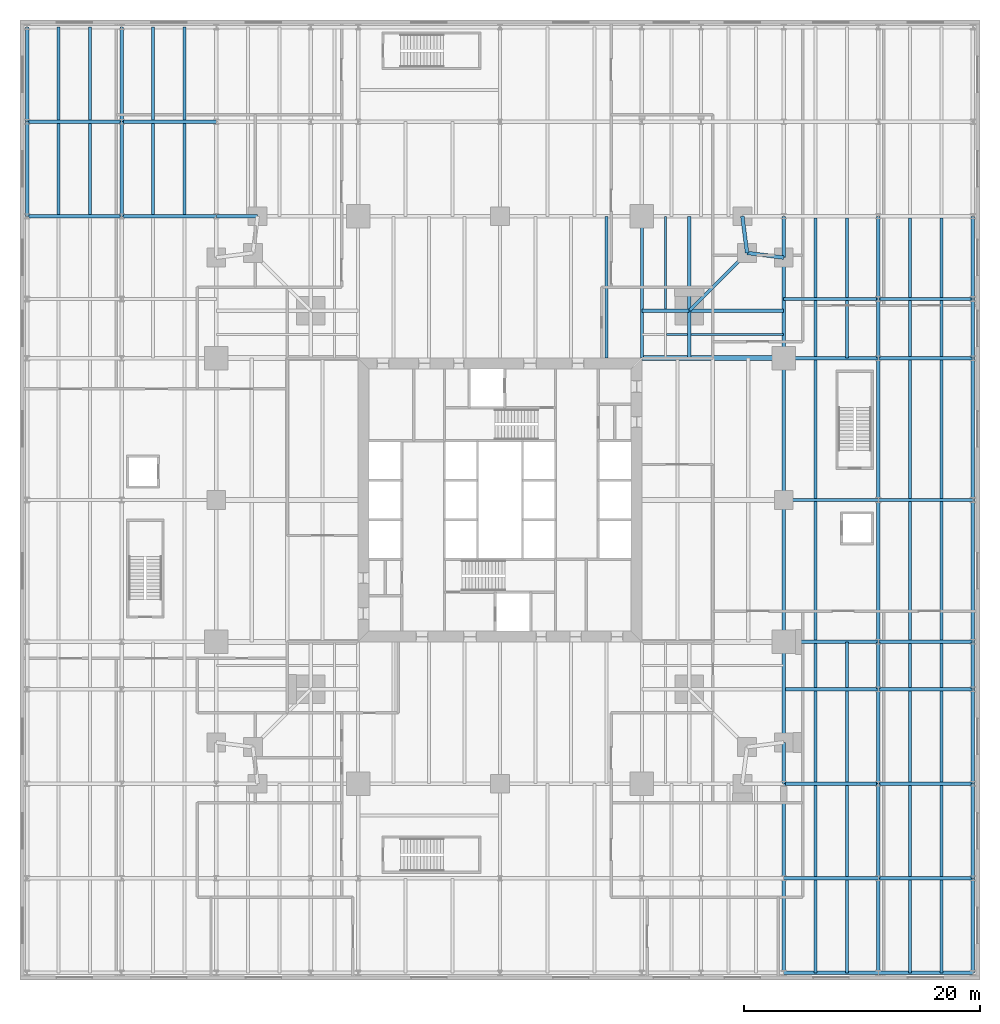
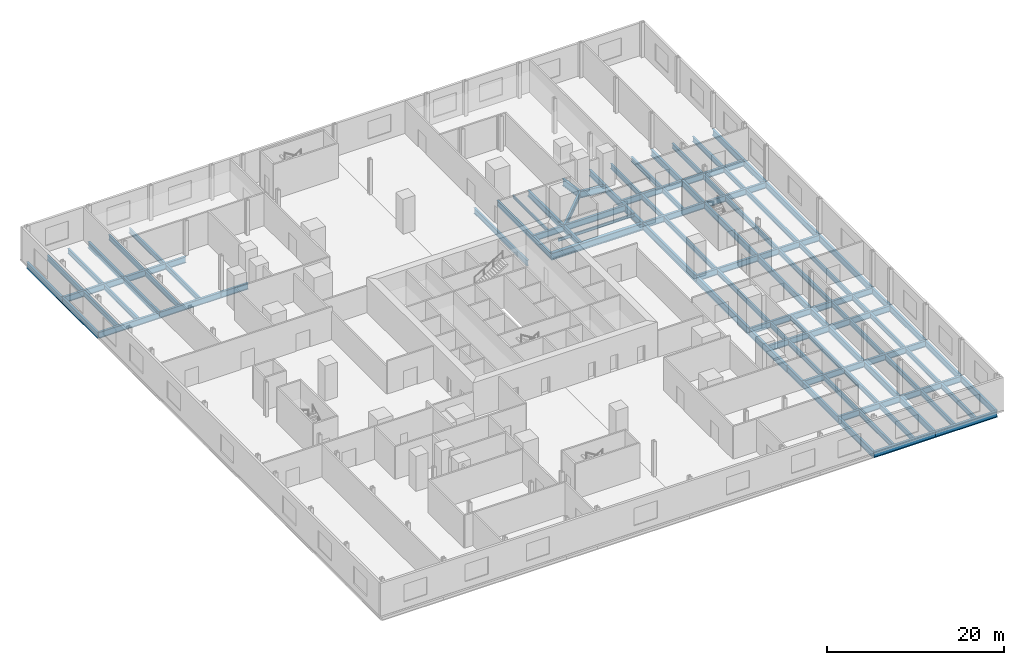
# One storey, part 6 of 16: 100 beams.
"""IFC4 building model written with IfcOpenShell, lengths in metres."""

from ifc_helpers import new_model, si_unit, direction, frame, origin, origin_2d, place, context, subcontext, project, spatial, i_section, extrude, material, material_profile, profile_set, type_object, element, save


model = new_model("IFC4")

# Units and contexts
model_context = context("Model", 3, precision=1e-05, world=origin(), true_north=direction((0.0, 1.0)))
body_context = subcontext(model_context, "Body", "Model", "MODEL_VIEW")
ifc_project = project(units=[si_unit("LENGTHUNIT", "METRE"), si_unit("AREAUNIT", "SQUARE_METRE"), si_unit("VOLUMEUNIT", "CUBIC_METRE"), si_unit("PLANEANGLEUNIT", "RADIAN"), si_unit("MASSUNIT", "GRAM", prefix="KILO")], contexts=[model_context])

# Site, building, storey
site_placement = place(None, origin())
site = spatial("IfcSite", under=ifc_project, at=site_placement, CompositionType="ELEMENT")
building_placement = place(site_placement, origin())
building = spatial("IfcBuilding", under=site, at=building_placement, Name="Fenwick Lantern Interchange", CompositionType="ELEMENT")
storey_placement = place(building_placement, frame((0.0, 0.0, 7.0)))
storey = spatial("IfcBuildingStorey", under=building, at=storey_placement, Name="L01", CompositionType="ELEMENT", Elevation=7.0)

# Beams
ifc_material = material(Name="Steel ASTM A992 Grade 50", Category="steel")
ifc_material_profile_1 = material_profile(ifc_material, i_section(OverallWidth=0.309814453125, OverallDepth=0.949951171875, WebThickness=0.0244140625, FlangeThickness=0.0439453125, at=origin_2d()), Name="W36X256")
ifc_profile_set_1 = profile_set([ifc_material_profile_1], Name="Steel ASTM A992 Grade 50")
beam_type_1 = type_object("IfcBeamType", Name="EDGE BEAM W36X256", PredefinedType="SPANDREL", material=ifc_profile_set_1)
beam_1_placement = place(storey_placement, frame((49.0, 4.5, -0.675048828125), z_axis=(0.0, 1.0, 0.0), x_axis=(-1.0, 0.0, 0.0)))
element("IfcBeam", 1, at=beam_1_placement, inside=storey, type_object=beam_type_1, Name="L01/FR/E/EB1", PredefinedType="SPANDREL", context=body_context, shape_type="SweptSolid", body=[
    extrude(i_section(OverallWidth=0.309814453125, OverallDepth=0.949951171875, WebThickness=0.0244140625, FlangeThickness=0.0439453125, at=origin_2d()), origin(), (0.0, 0.0, 1.0), 8.5),
])
for number, where, z_axis, x_axis, name in (
    (2, (49.0, 13.0, -0.675048828125), (0.0, 1.0, 0.0), (-1.0, 0.0, 0.0), "L01/FR/E/EB2"),
    (3, (49.0, 25.0, -0.675048828125), (0.0, 1.0, 0.0), (-1.0, 0.0, 0.0), "L01/FR/E/EB3"),
):
    element("IfcBeam", number, at=place(storey_placement, frame(where, z_axis=z_axis, x_axis=x_axis)), inside=storey, type_object=beam_type_1, Name=name, PredefinedType="SPANDREL", context=body_context, shape_type="SweptSolid", body=[
        extrude(i_section(OverallWidth=0.309814453125, OverallDepth=0.949951171875, WebThickness=0.0244140625, FlangeThickness=0.0439453125, at=origin_2d()), origin(), (0.0, 0.0, 1.0), 12.0),
    ])
beam_2_placement = place(storey_placement, frame((49.0, 37.0, -0.675048828125), z_axis=(0.0, 1.0, 0.0), x_axis=(-1.0, 0.0, 0.0)))
element("IfcBeam", 4, at=beam_2_placement, inside=storey, type_object=beam_type_1, Name="L01/FR/E/EB4", PredefinedType="SPANDREL", context=body_context, shape_type="SweptSolid", body=[
    extrude(i_section(OverallWidth=0.309814453125, OverallDepth=0.949951171875, WebThickness=0.0244140625, FlangeThickness=0.0439453125, at=origin_2d()), origin(), (0.0, 0.0, 1.0), 8.5),
])
for number, where, z_axis, x_axis, name in (
    (5, (49.0, 45.5, -0.675048828125), (-0.991782342897, 0.127936641807, 0.0), (-0.127936641807, -0.991782342897, 0.0), "L01/FR/E/EBR1"),
    (6, (45.89990234375, 45.89990234375, -0.675048828125), (-0.127936641807, 0.991782342897, 0.0), (-0.991782342897, -0.127936641807, 0.0), "L01/FR/E/EBR2"),
):
    element("IfcBeam", number, at=place(storey_placement, frame(where, z_axis=z_axis, x_axis=x_axis)), inside=storey, type_object=beam_type_1, Name=name, PredefinedType="SPANDREL", context=body_context, shape_type="SweptSolid", body=[
        extrude(i_section(OverallWidth=0.309814453125, OverallDepth=0.949951171875, WebThickness=0.0244140625, FlangeThickness=0.0439453125, at=origin_2d()), origin(), (0.0, 0.0, 1.0), 3.125732421875),
    ])
ifc_material_profile_2 = material_profile(ifc_material, i_section(OverallWidth=0.2666015625, OverallDepth=0.7568359375, WebThickness=0.013916015625, FlangeThickness=0.019287109375, at=origin_2d()), Name="W30X108")
ifc_profile_set_2 = profile_set([ifc_material_profile_2], Name="Steel ASTM A992 Grade 50")
beam_type_2 = type_object("IfcBeamType", Name="FLOOR BEAM W30X108", PredefinedType="BEAM", material=ifc_profile_set_2)
beam_3_placement = place(storey_placement, frame((34.0, 49.0, -0.578369140625), z_axis=(0.0, -1.0, 0.0), x_axis=(1.0, 0.0, 0.0)))
element("IfcBeam", 7, at=beam_3_placement, inside=storey, type_object=beam_type_2, Name="L01/FR/N/R02", PredefinedType="BEAM", context=body_context, shape_type="SweptSolid", body=[
    extrude(i_section(OverallWidth=0.2666015625, OverallDepth=0.7568359375, WebThickness=0.013916015625, FlangeThickness=0.019287109375, at=origin_2d()), origin(), (0.0, 0.0, 1.0), 12.0),
])
ifc_material_profile_3 = material_profile(ifc_material, i_section(OverallWidth=0.177734375, OverallDepth=0.406494140625, WebThickness=0.0078125, FlangeThickness=0.012939453125, at=origin_2d()), Name="W16X40")
ifc_profile_set_3 = profile_set([ifc_material_profile_3], Name="Steel ASTM A992 Grade 50")
beam_type_3 = type_object("IfcBeamType", Name="INFILL BEAM W16X40", PredefinedType="JOIST", material=ifc_profile_set_3)
for number, where, z_axis, x_axis, name in (
    (8, (39.0, 49.0, -0.4033203125), (0.0, -1.0, 0.0), (1.0, 0.0, 0.0), "L01/FR/N/J1"),
    (9, (49.0, 39.0, -0.4033203125), (-1.0, 0.0, 0.0), (0.0, -1.0, 0.0), "L01/FR/N/J3"),
):
    element("IfcBeam", number, at=place(storey_placement, frame(where, z_axis=z_axis, x_axis=x_axis)), inside=storey, type_object=beam_type_3, Name=name, PredefinedType="JOIST", context=body_context, shape_type="SweptSolid", body=[
        extrude(i_section(OverallWidth=0.177734375, OverallDepth=0.406494140625, WebThickness=0.0078125, FlangeThickness=0.012939453125, at=origin_2d()), origin(), (0.0, 0.0, 1.0), 7.85400390625),
    ])
beam_4_placement = place(storey_placement, frame((40.85400390625, 39.0, -0.4033203125), z_axis=(-1.0, 0.0, 0.0), x_axis=(0.0, -1.0, 0.0)))
element("IfcBeam", 10, at=beam_4_placement, inside=storey, type_object=beam_type_3, Name="L01/FR/N/J4", PredefinedType="JOIST", context=body_context, shape_type="SweptSolid", body=[
    extrude(i_section(OverallWidth=0.177734375, OverallDepth=0.406494140625, WebThickness=0.0078125, FlangeThickness=0.012939453125, at=origin_2d()), origin(), (0.0, 0.0, 1.0), 1.76513671875),
])
ifc_material_profile_4 = material_profile(ifc_material, i_section(OverallWidth=0.2919921875, OverallDepth=0.845703125, WebThickness=0.015380859375, FlangeThickness=0.0244140625, at=origin_2d()), Name="W33X141")
ifc_profile_set_4 = profile_set([ifc_material_profile_4], Name="Steel ASTM A992 Grade 50")
beam_type_4 = type_object("IfcBeamType", Name="MEGA COLUMN BEAM W33X141", PredefinedType="BEAM", material=ifc_profile_set_4)
for number, where, z_axis, x_axis, name in (
    (11, (41.0, 41.0, -0.622802734375), (0.0, 1.0, 0.0), (-1.0, 0.0, 0.0), "L01/FR/N/MB1"),
    (12, (41.0, 41.0, -0.622802734375), (1.0, 0.0, 0.0), (0.0, 1.0, 0.0), "L01/FR/N/MB2"),
):
    element("IfcBeam", number, at=place(storey_placement, frame(where, z_axis=z_axis, x_axis=x_axis)), inside=storey, type_object=beam_type_4, Name=name, PredefinedType="BEAM", context=body_context, shape_type="SweptSolid", body=[
        extrude(i_section(OverallWidth=0.2919921875, OverallDepth=0.845703125, WebThickness=0.015380859375, FlangeThickness=0.0244140625, at=origin_2d()), origin(), (0.0, 0.0, 1.0), 8.0),
    ])
for number, where, z_axis, x_axis, name in (
    (13, (41.0, 41.0, -0.622802734375), (-1.0, 0.0, 0.0), (0.0, -1.0, 0.0), "L01/FR/N/MB3"),
    (14, (41.0, 41.0, -0.622802734375), (0.0, -1.0, 0.0), (1.0, 0.0, 0.0), "L01/FR/N/MB4"),
):
    element("IfcBeam", number, at=place(storey_placement, frame(where, z_axis=z_axis, x_axis=x_axis)), inside=storey, type_object=beam_type_4, Name=name, PredefinedType="BEAM", context=body_context, shape_type="SweptSolid", body=[
        extrude(i_section(OverallWidth=0.2919921875, OverallDepth=0.845703125, WebThickness=0.015380859375, FlangeThickness=0.0244140625, at=origin_2d()), origin(), (0.0, 0.0, 1.0), 4.0),
    ])
ifc_material_profile_5 = material_profile(ifc_material, i_section(OverallWidth=0.2666015625, OverallDepth=0.76953125, WebThickness=0.015625, FlangeThickness=0.025390625, at=origin_2d()), Name="W30X132")
ifc_profile_set_5 = profile_set([ifc_material_profile_5], Name="Steel ASTM A992 Grade 50")
beam_type_5 = type_object("IfcBeamType", Name="MOMENT-CONNECTED GIRDER W30X132", PredefinedType="BEAM", material=ifc_profile_set_5)
beam_5_placement = place(storey_placement, frame((37.0, 49.0, -0.584716796875), z_axis=(0.0, -1.0, 0.0), x_axis=(1.0, 0.0, 0.0)))
element("IfcBeam", 15, at=beam_5_placement, inside=storey, type_object=beam_type_5, Name="L01/FR/N/R01", PredefinedType="BEAM", context=body_context, shape_type="SweptSolid", body=[
    extrude(i_section(OverallWidth=0.2666015625, OverallDepth=0.76953125, WebThickness=0.015625, FlangeThickness=0.025390625, at=origin_2d()), origin(), (0.0, 0.0, 1.0), 12.0),
])
ifc_material_profile_6 = material_profile(ifc_material, i_section(OverallWidth=0.424072265625, OverallDepth=0.947509765625, WebThickness=0.02392578125, FlangeThickness=0.042724609375, at=origin_2d()), Name="W36X302")
ifc_profile_set_6 = profile_set([ifc_material_profile_6], Name="Steel ASTM A992 Grade 50")
beam_type_6 = type_object("IfcBeamType", Name="MOMENT-CONNECTED GIRDER W36X302", PredefinedType="BEAM", material=ifc_profile_set_6)
beam_6_placement = place(storey_placement, frame((49.0, 37.0, -0.673828125), z_axis=(-1.0, 0.0, 0.0), x_axis=(0.0, -1.0, 0.0)))
element("IfcBeam", 16, at=beam_6_placement, inside=storey, type_object=beam_type_6, Name="L01/FR/E/R03", PredefinedType="BEAM", context=body_context, shape_type="SweptSolid", body=[
    extrude(i_section(OverallWidth=0.424072265625, OverallDepth=0.947509765625, WebThickness=0.02392578125, FlangeThickness=0.042724609375, at=origin_2d()), origin(), (0.0, 0.0, 1.0), 12.0),
])
ifc_material_profile_7 = material_profile(ifc_material, i_section(OverallWidth=0.2919921875, OverallDepth=0.845703125, WebThickness=0.015380859375, FlangeThickness=0.0244140625, at=origin_2d()), Name="W33X141")
ifc_profile_set_7 = profile_set([ifc_material_profile_7], Name="Steel ASTM A992 Grade 50")
beam_type_7 = type_object("IfcBeamType", Name="MOMENT-CONNECTED PODIUM GIRDER W33X141", PredefinedType="BEAM", material=ifc_profile_set_7)
for number, where, z_axis, x_axis, name in (
    (17, (49.0, -15.0, -0.622802734375), (1.0, 0.0, 0.0), (0.0, 1.0, 0.0), "L01/PF/G009"),
    (18, (57.0, -15.0, -0.622802734375), (1.0, 0.0, 0.0), (0.0, 1.0, 0.0), "L01/PF/G010"),
    (19, (49.0, -7.0, -0.622802734375), (1.0, 0.0, 0.0), (0.0, 1.0, 0.0), "L01/PF/G019"),
    (20, (57.0, -7.0, -0.622802734375), (1.0, 0.0, 0.0), (0.0, 1.0, 0.0), "L01/PF/G020"),
    (21, (49.0, 1.0, -0.622802734375), (1.0, 0.0, 0.0), (0.0, 1.0, 0.0), "L01/PF/G025"),
    (22, (57.0, 1.0, -0.622802734375), (1.0, 0.0, 0.0), (0.0, 1.0, 0.0), "L01/PF/G026"),
):
    element("IfcBeam", number, at=place(storey_placement, frame(where, z_axis=z_axis, x_axis=x_axis)), inside=storey, type_object=beam_type_7, Name=name, PredefinedType="BEAM", context=body_context, shape_type="SweptSolid", body=[
        extrude(i_section(OverallWidth=0.2919921875, OverallDepth=0.845703125, WebThickness=0.015380859375, FlangeThickness=0.0244140625, at=origin_2d()), origin(), (0.0, 0.0, 1.0), 8.0),
    ])
beam_7_placement = place(storey_placement, frame((49.155029296875, 9.0, -0.622802734375), z_axis=(1.0, 0.0, 0.0), x_axis=(0.0, 1.0, 0.0)))
element("IfcBeam", 23, at=beam_7_placement, inside=storey, type_object=beam_type_7, Name="L01/PF/G029", PredefinedType="BEAM", context=body_context, shape_type="SweptSolid", body=[
    extrude(i_section(OverallWidth=0.2919921875, OverallDepth=0.845703125, WebThickness=0.015380859375, FlangeThickness=0.0244140625, at=origin_2d()), origin(), (0.0, 0.0, 1.0), 7.844970703125),
])
for number, where, z_axis, x_axis, name in (
    (24, (57.0, 9.0, -0.622802734375), (1.0, 0.0, 0.0), (0.0, 1.0, 0.0), "L01/PF/G030"),
    (25, (49.0, 13.0, -0.622802734375), (1.0, 0.0, 0.0), (0.0, 1.0, 0.0), "L01/PF/G033"),
    (26, (57.0, 13.0, -0.622802734375), (1.0, 0.0, 0.0), (0.0, 1.0, 0.0), "L01/PF/G034"),
    (27, (49.0, 25.0, -0.622802734375), (1.0, 0.0, 0.0), (0.0, 1.0, 0.0), "L01/PF/G037"),
    (28, (57.0, 25.0, -0.622802734375), (1.0, 0.0, 0.0), (0.0, 1.0, 0.0), "L01/PF/G038"),
    (29, (49.0, 37.0, -0.622802734375), (1.0, 0.0, 0.0), (0.0, 1.0, 0.0), "L01/PF/G041"),
    (30, (57.0, 37.0, -0.622802734375), (1.0, 0.0, 0.0), (0.0, 1.0, 0.0), "L01/PF/G042"),
    (31, (49.0, 42.0, -0.622802734375), (1.0, 0.0, 0.0), (0.0, 1.0, 0.0), "L01/PF/G045"),
    (32, (57.0, 42.0, -0.622802734375), (1.0, 0.0, 0.0), (0.0, 1.0, 0.0), "L01/PF/G046"),
    (33, (-15.0, 49.0, -0.622802734375), (1.0, 0.0, 0.0), (0.0, 1.0, 0.0), "L01/PF/G047"),
    (34, (-7.0, 49.0, -0.622802734375), (1.0, 0.0, 0.0), (0.0, 1.0, 0.0), "L01/PF/G048"),
):
    element("IfcBeam", number, at=place(storey_placement, frame(where, z_axis=z_axis, x_axis=x_axis)), inside=storey, type_object=beam_type_7, Name=name, PredefinedType="BEAM", context=body_context, shape_type="SweptSolid", body=[
        extrude(i_section(OverallWidth=0.2919921875, OverallDepth=0.845703125, WebThickness=0.015380859375, FlangeThickness=0.0244140625, at=origin_2d()), origin(), (0.0, 0.0, 1.0), 8.0),
    ])
beam_8_placement = place(storey_placement, frame((1.0, 49.0, -0.622802734375), z_axis=(1.0, 0.0, 0.0), x_axis=(0.0, 1.0, 0.0)))
element("IfcBeam", 35, at=beam_8_placement, inside=storey, type_object=beam_type_7, Name="L01/PF/G049", PredefinedType="BEAM", context=body_context, shape_type="SweptSolid", body=[
    extrude(i_section(OverallWidth=0.2919921875, OverallDepth=0.845703125, WebThickness=0.015380859375, FlangeThickness=0.0244140625, at=origin_2d()), origin(), (0.0, 0.0, 1.0), 3.5),
])
for number, where, z_axis, x_axis, name in (
    (36, (-15.0, 57.0, -0.622802734375), (1.0, 0.0, 0.0), (0.0, 1.0, 0.0), "L01/PF/G053"),
    (37, (-7.0, 57.0, -0.622802734375), (1.0, 0.0, 0.0), (0.0, 1.0, 0.0), "L01/PF/G054"),
    (38, (-15.0, 49.0, -0.622802734375), (0.0, 1.0, 0.0), (-1.0, 0.0, 0.0), "L01/PF/G081"),
    (39, (-15.0, 57.0, -0.622802734375), (0.0, 1.0, 0.0), (-1.0, 0.0, 0.0), "L01/PF/G082"),
    (40, (-7.0, 49.0, -0.622802734375), (0.0, 1.0, 0.0), (-1.0, 0.0, 0.0), "L01/PF/G091"),
    (41, (-7.0, 57.0, -0.622802734375), (0.0, 1.0, 0.0), (-1.0, 0.0, 0.0), "L01/PF/G092"),
    (42, (49.0, -15.0, -0.622802734375), (0.0, 1.0, 0.0), (-1.0, 0.0, 0.0), "L01/PF/G119"),
    (43, (49.0, -7.0, -0.622802734375), (0.0, 1.0, 0.0), (-1.0, 0.0, 0.0), "L01/PF/G120"),
):
    element("IfcBeam", number, at=place(storey_placement, frame(where, z_axis=z_axis, x_axis=x_axis)), inside=storey, type_object=beam_type_7, Name=name, PredefinedType="BEAM", context=body_context, shape_type="SweptSolid", body=[
        extrude(i_section(OverallWidth=0.2919921875, OverallDepth=0.845703125, WebThickness=0.015380859375, FlangeThickness=0.0244140625, at=origin_2d()), origin(), (0.0, 0.0, 1.0), 8.0),
    ])
for number, where, z_axis, x_axis, name in (
    (44, (49.0, 1.0, -0.622802734375), (0.0, 1.0, 0.0), (-1.0, 0.0, 0.0), "L01/PF/G121"),
    (45, (49.0, 45.5, -0.622802734375), (0.0, 1.0, 0.0), (-1.0, 0.0, 0.0), "L01/PF/G122"),
):
    element("IfcBeam", number, at=place(storey_placement, frame(where, z_axis=z_axis, x_axis=x_axis)), inside=storey, type_object=beam_type_7, Name=name, PredefinedType="BEAM", context=body_context, shape_type="SweptSolid", body=[
        extrude(i_section(OverallWidth=0.2919921875, OverallDepth=0.845703125, WebThickness=0.015380859375, FlangeThickness=0.0244140625, at=origin_2d()), origin(), (0.0, 0.0, 1.0), 3.5),
    ])
for number, where, z_axis, x_axis, name in (
    (46, (57.0, -15.0, -0.622802734375), (0.0, 1.0, 0.0), (-1.0, 0.0, 0.0), "L01/PF/G125"),
    (47, (57.0, -7.0, -0.622802734375), (0.0, 1.0, 0.0), (-1.0, 0.0, 0.0), "L01/PF/G126"),
    (48, (57.0, 1.0, -0.622802734375), (0.0, 1.0, 0.0), (-1.0, 0.0, 0.0), "L01/PF/G127"),
):
    element("IfcBeam", number, at=place(storey_placement, frame(where, z_axis=z_axis, x_axis=x_axis)), inside=storey, type_object=beam_type_7, Name=name, PredefinedType="BEAM", context=body_context, shape_type="SweptSolid", body=[
        extrude(i_section(OverallWidth=0.2919921875, OverallDepth=0.845703125, WebThickness=0.015380859375, FlangeThickness=0.0244140625, at=origin_2d()), origin(), (0.0, 0.0, 1.0), 8.0),
    ])
beam_9_placement = place(storey_placement, frame((57.0, 9.0, -0.622802734375), z_axis=(0.0, 1.0, 0.0), x_axis=(-1.0, 0.0, 0.0)))
element("IfcBeam", 49, at=beam_9_placement, inside=storey, type_object=beam_type_7, Name="L01/PF/G128", PredefinedType="BEAM", context=body_context, shape_type="SweptSolid", body=[
    extrude(i_section(OverallWidth=0.2919921875, OverallDepth=0.845703125, WebThickness=0.015380859375, FlangeThickness=0.0244140625, at=origin_2d()), origin(), (0.0, 0.0, 1.0), 4.0),
])
for number, where, z_axis, x_axis, name in (
    (50, (57.0, 13.0, -0.622802734375), (0.0, 1.0, 0.0), (-1.0, 0.0, 0.0), "L01/PF/G129"),
    (51, (57.0, 25.0, -0.622802734375), (0.0, 1.0, 0.0), (-1.0, 0.0, 0.0), "L01/PF/G130"),
):
    element("IfcBeam", number, at=place(storey_placement, frame(where, z_axis=z_axis, x_axis=x_axis)), inside=storey, type_object=beam_type_7, Name=name, PredefinedType="BEAM", context=body_context, shape_type="SweptSolid", body=[
        extrude(i_section(OverallWidth=0.2919921875, OverallDepth=0.845703125, WebThickness=0.015380859375, FlangeThickness=0.0244140625, at=origin_2d()), origin(), (0.0, 0.0, 1.0), 12.0),
    ])
beam_10_placement = place(storey_placement, frame((57.0, 37.0, -0.622802734375), z_axis=(0.0, 1.0, 0.0), x_axis=(-1.0, 0.0, 0.0)))
element("IfcBeam", 52, at=beam_10_placement, inside=storey, type_object=beam_type_7, Name="L01/PF/G131", PredefinedType="BEAM", context=body_context, shape_type="SweptSolid", body=[
    extrude(i_section(OverallWidth=0.2919921875, OverallDepth=0.845703125, WebThickness=0.015380859375, FlangeThickness=0.0244140625, at=origin_2d()), origin(), (0.0, 0.0, 1.0), 5.0),
])
beam_11_placement = place(storey_placement, frame((57.0, 42.0, -0.622802734375), z_axis=(0.0, 1.0, 0.0), x_axis=(-1.0, 0.0, 0.0)))
element("IfcBeam", 53, at=beam_11_placement, inside=storey, type_object=beam_type_7, Name="L01/PF/G132", PredefinedType="BEAM", context=body_context, shape_type="SweptSolid", body=[
    extrude(i_section(OverallWidth=0.2919921875, OverallDepth=0.845703125, WebThickness=0.015380859375, FlangeThickness=0.0244140625, at=origin_2d()), origin(), (0.0, 0.0, 1.0), 7.0),
])
for number, where, z_axis, x_axis, name in (
    (54, (65.0, -15.0, -0.622802734375), (0.0, 1.0, 0.0), (-1.0, 0.0, 0.0), "L01/PF/G135"),
    (55, (65.0, -7.0, -0.622802734375), (0.0, 1.0, 0.0), (-1.0, 0.0, 0.0), "L01/PF/G136"),
    (56, (65.0, 1.0, -0.622802734375), (0.0, 1.0, 0.0), (-1.0, 0.0, 0.0), "L01/PF/G137"),
):
    element("IfcBeam", number, at=place(storey_placement, frame(where, z_axis=z_axis, x_axis=x_axis)), inside=storey, type_object=beam_type_7, Name=name, PredefinedType="BEAM", context=body_context, shape_type="SweptSolid", body=[
        extrude(i_section(OverallWidth=0.2919921875, OverallDepth=0.845703125, WebThickness=0.015380859375, FlangeThickness=0.0244140625, at=origin_2d()), origin(), (0.0, 0.0, 1.0), 8.0),
    ])
beam_12_placement = place(storey_placement, frame((65.0, 9.0, -0.622802734375), z_axis=(0.0, 1.0, 0.0), x_axis=(-1.0, 0.0, 0.0)))
element("IfcBeam", 57, at=beam_12_placement, inside=storey, type_object=beam_type_7, Name="L01/PF/G138", PredefinedType="BEAM", context=body_context, shape_type="SweptSolid", body=[
    extrude(i_section(OverallWidth=0.2919921875, OverallDepth=0.845703125, WebThickness=0.015380859375, FlangeThickness=0.0244140625, at=origin_2d()), origin(), (0.0, 0.0, 1.0), 4.0),
])
for number, where, z_axis, x_axis, name in (
    (58, (65.0, 13.0, -0.622802734375), (0.0, 1.0, 0.0), (-1.0, 0.0, 0.0), "L01/PF/G139"),
    (59, (65.0, 25.0, -0.622802734375), (0.0, 1.0, 0.0), (-1.0, 0.0, 0.0), "L01/PF/G140"),
):
    element("IfcBeam", number, at=place(storey_placement, frame(where, z_axis=z_axis, x_axis=x_axis)), inside=storey, type_object=beam_type_7, Name=name, PredefinedType="BEAM", context=body_context, shape_type="SweptSolid", body=[
        extrude(i_section(OverallWidth=0.2919921875, OverallDepth=0.845703125, WebThickness=0.015380859375, FlangeThickness=0.0244140625, at=origin_2d()), origin(), (0.0, 0.0, 1.0), 12.0),
    ])
beam_13_placement = place(storey_placement, frame((65.0, 37.0, -0.622802734375), z_axis=(0.0, 1.0, 0.0), x_axis=(-1.0, 0.0, 0.0)))
element("IfcBeam", 60, at=beam_13_placement, inside=storey, type_object=beam_type_7, Name="L01/PF/G141", PredefinedType="BEAM", context=body_context, shape_type="SweptSolid", body=[
    extrude(i_section(OverallWidth=0.2919921875, OverallDepth=0.845703125, WebThickness=0.015380859375, FlangeThickness=0.0244140625, at=origin_2d()), origin(), (0.0, 0.0, 1.0), 5.0),
])
beam_14_placement = place(storey_placement, frame((65.0, 42.0, -0.622802734375), z_axis=(0.0, 1.0, 0.0), x_axis=(-1.0, 0.0, 0.0)))
element("IfcBeam", 61, at=beam_14_placement, inside=storey, type_object=beam_type_7, Name="L01/PF/G142", PredefinedType="BEAM", context=body_context, shape_type="SweptSolid", body=[
    extrude(i_section(OverallWidth=0.2919921875, OverallDepth=0.845703125, WebThickness=0.015380859375, FlangeThickness=0.0244140625, at=origin_2d()), origin(), (0.0, 0.0, 1.0), 7.0),
])
ifc_material_profile_8 = material_profile(ifc_material, i_section(OverallWidth=0.2666015625, OverallDepth=0.7568359375, WebThickness=0.013916015625, FlangeThickness=0.019287109375, at=origin_2d()), Name="W30X108")
ifc_profile_set_8 = profile_set([ifc_material_profile_8], Name="Steel ASTM A992 Grade 50")
beam_type_8 = type_object("IfcBeamType", Name="NOTCH BEAM W30X108", PredefinedType="BEAM", material=ifc_profile_set_8)
beam_15_placement = place(storey_placement, frame((41.0, 41.0, -0.578369140625), z_axis=(0.707106781187, 0.707106781187, 0.0), x_axis=(-0.707106781187, 0.707106781187, 0.0)))
element("IfcBeam", 62, at=beam_15_placement, inside=storey, type_object=beam_type_8, Name="L01/FR/N/TG", PredefinedType="BEAM", context=body_context, shape_type="SweptSolid", body=[
    extrude(i_section(OverallWidth=0.2666015625, OverallDepth=0.7568359375, WebThickness=0.013916015625, FlangeThickness=0.019287109375, at=origin_2d()), origin(), (0.0, 0.0, 1.0), 6.929443359375),
])
ifc_material_profile_9 = material_profile(ifc_material, i_section(OverallWidth=0.25390625, OverallDepth=0.683349609375, WebThickness=0.012451171875, FlangeThickness=0.01904296875, at=origin_2d()), Name="W27X94")
ifc_profile_set_9 = profile_set([ifc_material_profile_9], Name="Steel ASTM A992 Grade 50")
beam_type_9 = type_object("IfcBeamType", Name="PODIUM BEAM W27X94", PredefinedType="JOIST", material=ifc_profile_set_9)
for number, where, z_axis, x_axis, name in (
    (63, (-12.333251953125, 49.14599609375, -0.541748046875), (0.0, 1.0, 0.0), (-1.0, 0.0, 0.0), "L01/PF/J161"),
    (64, (-9.666748046875, 49.14599609375, -0.541748046875), (0.0, 1.0, 0.0), (-1.0, 0.0, 0.0), "L01/PF/J162"),
):
    element("IfcBeam", number, at=place(storey_placement, frame(where, z_axis=z_axis, x_axis=x_axis)), inside=storey, type_object=beam_type_9, Name=name, PredefinedType="JOIST", context=body_context, shape_type="SweptSolid", body=[
        extrude(i_section(OverallWidth=0.25390625, OverallDepth=0.683349609375, WebThickness=0.012451171875, FlangeThickness=0.01904296875, at=origin_2d()), origin(), (0.0, 0.0, 1.0), 7.7080078125),
    ])
for number, where, z_axis, x_axis, name in (
    (65, (-12.333251953125, 57.14599609375, -0.541748046875), (0.0, 1.0, 0.0), (-1.0, 0.0, 0.0), "L01/PF/J163"),
    (66, (-9.666748046875, 57.14599609375, -0.541748046875), (0.0, 1.0, 0.0), (-1.0, 0.0, 0.0), "L01/PF/J164"),
):
    element("IfcBeam", number, at=place(storey_placement, frame(where, z_axis=z_axis, x_axis=x_axis)), inside=storey, type_object=beam_type_9, Name=name, PredefinedType="JOIST", context=body_context, shape_type="SweptSolid", body=[
        extrude(i_section(OverallWidth=0.25390625, OverallDepth=0.683349609375, WebThickness=0.012451171875, FlangeThickness=0.01904296875, at=origin_2d()), origin(), (0.0, 0.0, 1.0), 7.85400390625),
    ])
for number, where, z_axis, x_axis, name in (
    (67, (-4.333251953125, 49.14599609375, -0.541748046875), (0.0, 1.0, 0.0), (-1.0, 0.0, 0.0), "L01/PF/J179"),
    (68, (-1.666748046875, 49.14599609375, -0.541748046875), (0.0, 1.0, 0.0), (-1.0, 0.0, 0.0), "L01/PF/J180"),
):
    element("IfcBeam", number, at=place(storey_placement, frame(where, z_axis=z_axis, x_axis=x_axis)), inside=storey, type_object=beam_type_9, Name=name, PredefinedType="JOIST", context=body_context, shape_type="SweptSolid", body=[
        extrude(i_section(OverallWidth=0.25390625, OverallDepth=0.683349609375, WebThickness=0.012451171875, FlangeThickness=0.01904296875, at=origin_2d()), origin(), (0.0, 0.0, 1.0), 7.7080078125),
    ])
for number, where, z_axis, x_axis, name in (
    (69, (-4.333251953125, 57.14599609375, -0.541748046875), (0.0, 1.0, 0.0), (-1.0, 0.0, 0.0), "L01/PF/J181"),
    (70, (-1.666748046875, 57.14599609375, -0.541748046875), (0.0, 1.0, 0.0), (-1.0, 0.0, 0.0), "L01/PF/J182"),
    (71, (51.666748046875, -15.0, -0.541748046875), (0.0, 1.0, 0.0), (-1.0, 0.0, 0.0), "L01/PF/J221"),
    (72, (54.333251953125, -15.0, -0.541748046875), (0.0, 1.0, 0.0), (-1.0, 0.0, 0.0), "L01/PF/J222"),
):
    element("IfcBeam", number, at=place(storey_placement, frame(where, z_axis=z_axis, x_axis=x_axis)), inside=storey, type_object=beam_type_9, Name=name, PredefinedType="JOIST", context=body_context, shape_type="SweptSolid", body=[
        extrude(i_section(OverallWidth=0.25390625, OverallDepth=0.683349609375, WebThickness=0.012451171875, FlangeThickness=0.01904296875, at=origin_2d()), origin(), (0.0, 0.0, 1.0), 7.85400390625),
    ])
for number, where, z_axis, x_axis, name in (
    (73, (51.666748046875, -6.85400390625, -0.541748046875), (0.0, 1.0, 0.0), (-1.0, 0.0, 0.0), "L01/PF/J223"),
    (74, (54.333251953125, -6.85400390625, -0.541748046875), (0.0, 1.0, 0.0), (-1.0, 0.0, 0.0), "L01/PF/J224"),
    (75, (51.666748046875, 1.14599609375, -0.541748046875), (0.0, 1.0, 0.0), (-1.0, 0.0, 0.0), "L01/PF/J225"),
    (76, (54.333251953125, 1.14599609375, -0.541748046875), (0.0, 1.0, 0.0), (-1.0, 0.0, 0.0), "L01/PF/J226"),
):
    element("IfcBeam", number, at=place(storey_placement, frame(where, z_axis=z_axis, x_axis=x_axis)), inside=storey, type_object=beam_type_9, Name=name, PredefinedType="JOIST", context=body_context, shape_type="SweptSolid", body=[
        extrude(i_section(OverallWidth=0.25390625, OverallDepth=0.683349609375, WebThickness=0.012451171875, FlangeThickness=0.01904296875, at=origin_2d()), origin(), (0.0, 0.0, 1.0), 7.7080078125),
    ])
beam_16_placement = place(storey_placement, frame((51.666748046875, 9.14599609375, -0.541748046875), z_axis=(0.0, 1.0, 0.0), x_axis=(-1.0, 0.0, 0.0)))
element("IfcBeam", 77, at=beam_16_placement, inside=storey, type_object=beam_type_9, Name="L01/PF/J227", PredefinedType="JOIST", context=body_context, shape_type="SweptSolid", body=[
    extrude(i_section(OverallWidth=0.25390625, OverallDepth=0.683349609375, WebThickness=0.012451171875, FlangeThickness=0.01904296875, at=origin_2d()), origin(), (0.0, 0.0, 1.0), 3.7080078125),
])
beam_17_placement = place(storey_placement, frame((54.333251953125, 9.14599609375, -0.541748046875), z_axis=(0.0, 1.0, 0.0), x_axis=(-1.0, 0.0, 0.0)))
element("IfcBeam", 78, at=beam_17_placement, inside=storey, type_object=beam_type_9, Name="L01/PF/J228", PredefinedType="JOIST", context=body_context, shape_type="SweptSolid", body=[
    extrude(i_section(OverallWidth=0.25390625, OverallDepth=0.683349609375, WebThickness=0.012451171875, FlangeThickness=0.01904296875, at=origin_2d()), origin(), (0.0, 0.0, 1.0), 3.85400390625),
])
for number, where, z_axis, x_axis, name in (
    (79, (51.666748046875, 13.14599609375, -0.541748046875), (0.0, 1.0, 0.0), (-1.0, 0.0, 0.0), "L01/PF/J229"),
    (80, (51.666748046875, 25.14599609375, -0.541748046875), (0.0, 1.0, 0.0), (-1.0, 0.0, 0.0), "L01/PF/J230"),
):
    element("IfcBeam", number, at=place(storey_placement, frame(where, z_axis=z_axis, x_axis=x_axis)), inside=storey, type_object=beam_type_9, Name=name, PredefinedType="JOIST", context=body_context, shape_type="SweptSolid", body=[
        extrude(i_section(OverallWidth=0.25390625, OverallDepth=0.683349609375, WebThickness=0.012451171875, FlangeThickness=0.01904296875, at=origin_2d()), origin(), (0.0, 0.0, 1.0), 11.7080078125),
    ])
beam_18_placement = place(storey_placement, frame((51.666748046875, 37.14599609375, -0.541748046875), z_axis=(0.0, 1.0, 0.0), x_axis=(-1.0, 0.0, 0.0)))
element("IfcBeam", 81, at=beam_18_placement, inside=storey, type_object=beam_type_9, Name="L01/PF/J231", PredefinedType="JOIST", context=body_context, shape_type="SweptSolid", body=[
    extrude(i_section(OverallWidth=0.25390625, OverallDepth=0.683349609375, WebThickness=0.012451171875, FlangeThickness=0.01904296875, at=origin_2d()), origin(), (0.0, 0.0, 1.0), 4.7080078125),
])
beam_19_placement = place(storey_placement, frame((54.333251953125, 37.0, -0.541748046875), z_axis=(0.0, 1.0, 0.0), x_axis=(-1.0, 0.0, 0.0)))
element("IfcBeam", 82, at=beam_19_placement, inside=storey, type_object=beam_type_9, Name="L01/PF/J232", PredefinedType="JOIST", context=body_context, shape_type="SweptSolid", body=[
    extrude(i_section(OverallWidth=0.25390625, OverallDepth=0.683349609375, WebThickness=0.012451171875, FlangeThickness=0.01904296875, at=origin_2d()), origin(), (0.0, 0.0, 1.0), 4.85400390625),
])
for number, where, z_axis, x_axis, name in (
    (83, (51.666748046875, 42.14599609375, -0.541748046875), (0.0, 1.0, 0.0), (-1.0, 0.0, 0.0), "L01/PF/J233"),
    (84, (54.333251953125, 42.14599609375, -0.541748046875), (0.0, 1.0, 0.0), (-1.0, 0.0, 0.0), "L01/PF/J234"),
):
    element("IfcBeam", number, at=place(storey_placement, frame(where, z_axis=z_axis, x_axis=x_axis)), inside=storey, type_object=beam_type_9, Name=name, PredefinedType="JOIST", context=body_context, shape_type="SweptSolid", body=[
        extrude(i_section(OverallWidth=0.25390625, OverallDepth=0.683349609375, WebThickness=0.012451171875, FlangeThickness=0.01904296875, at=origin_2d()), origin(), (0.0, 0.0, 1.0), 6.7080078125),
    ])
for number, where, z_axis, x_axis, name in (
    (85, (59.666748046875, -15.0, -0.541748046875), (0.0, 1.0, 0.0), (-1.0, 0.0, 0.0), "L01/PF/J239"),
    (86, (62.333251953125, -15.0, -0.541748046875), (0.0, 1.0, 0.0), (-1.0, 0.0, 0.0), "L01/PF/J240"),
):
    element("IfcBeam", number, at=place(storey_placement, frame(where, z_axis=z_axis, x_axis=x_axis)), inside=storey, type_object=beam_type_9, Name=name, PredefinedType="JOIST", context=body_context, shape_type="SweptSolid", body=[
        extrude(i_section(OverallWidth=0.25390625, OverallDepth=0.683349609375, WebThickness=0.012451171875, FlangeThickness=0.01904296875, at=origin_2d()), origin(), (0.0, 0.0, 1.0), 7.85400390625),
    ])
for number, where, z_axis, x_axis, name in (
    (87, (59.666748046875, -6.85400390625, -0.541748046875), (0.0, 1.0, 0.0), (-1.0, 0.0, 0.0), "L01/PF/J241"),
    (88, (62.333251953125, -6.85400390625, -0.541748046875), (0.0, 1.0, 0.0), (-1.0, 0.0, 0.0), "L01/PF/J242"),
    (89, (59.666748046875, 1.14599609375, -0.541748046875), (0.0, 1.0, 0.0), (-1.0, 0.0, 0.0), "L01/PF/J243"),
    (90, (62.333251953125, 1.14599609375, -0.541748046875), (0.0, 1.0, 0.0), (-1.0, 0.0, 0.0), "L01/PF/J244"),
):
    element("IfcBeam", number, at=place(storey_placement, frame(where, z_axis=z_axis, x_axis=x_axis)), inside=storey, type_object=beam_type_9, Name=name, PredefinedType="JOIST", context=body_context, shape_type="SweptSolid", body=[
        extrude(i_section(OverallWidth=0.25390625, OverallDepth=0.683349609375, WebThickness=0.012451171875, FlangeThickness=0.01904296875, at=origin_2d()), origin(), (0.0, 0.0, 1.0), 7.7080078125),
    ])
for number, where, z_axis, x_axis, name in (
    (91, (59.666748046875, 9.14599609375, -0.541748046875), (0.0, 1.0, 0.0), (-1.0, 0.0, 0.0), "L01/PF/J245"),
    (92, (62.333251953125, 9.14599609375, -0.541748046875), (0.0, 1.0, 0.0), (-1.0, 0.0, 0.0), "L01/PF/J246"),
):
    element("IfcBeam", number, at=place(storey_placement, frame(where, z_axis=z_axis, x_axis=x_axis)), inside=storey, type_object=beam_type_9, Name=name, PredefinedType="JOIST", context=body_context, shape_type="SweptSolid", body=[
        extrude(i_section(OverallWidth=0.25390625, OverallDepth=0.683349609375, WebThickness=0.012451171875, FlangeThickness=0.01904296875, at=origin_2d()), origin(), (0.0, 0.0, 1.0), 3.7080078125),
    ])
for number, where, z_axis, x_axis, name in (
    (93, (59.666748046875, 13.14599609375, -0.541748046875), (0.0, 1.0, 0.0), (-1.0, 0.0, 0.0), "L01/PF/J247"),
    (94, (62.333251953125, 13.14599609375, -0.541748046875), (0.0, 1.0, 0.0), (-1.0, 0.0, 0.0), "L01/PF/J248"),
    (95, (59.666748046875, 25.14599609375, -0.541748046875), (0.0, 1.0, 0.0), (-1.0, 0.0, 0.0), "L01/PF/J249"),
    (96, (62.333251953125, 25.14599609375, -0.541748046875), (0.0, 1.0, 0.0), (-1.0, 0.0, 0.0), "L01/PF/J250"),
):
    element("IfcBeam", number, at=place(storey_placement, frame(where, z_axis=z_axis, x_axis=x_axis)), inside=storey, type_object=beam_type_9, Name=name, PredefinedType="JOIST", context=body_context, shape_type="SweptSolid", body=[
        extrude(i_section(OverallWidth=0.25390625, OverallDepth=0.683349609375, WebThickness=0.012451171875, FlangeThickness=0.01904296875, at=origin_2d()), origin(), (0.0, 0.0, 1.0), 11.7080078125),
    ])
for number, where, z_axis, x_axis, name in (
    (97, (59.666748046875, 37.14599609375, -0.541748046875), (0.0, 1.0, 0.0), (-1.0, 0.0, 0.0), "L01/PF/J251"),
    (98, (62.333251953125, 37.14599609375, -0.541748046875), (0.0, 1.0, 0.0), (-1.0, 0.0, 0.0), "L01/PF/J252"),
):
    element("IfcBeam", number, at=place(storey_placement, frame(where, z_axis=z_axis, x_axis=x_axis)), inside=storey, type_object=beam_type_9, Name=name, PredefinedType="JOIST", context=body_context, shape_type="SweptSolid", body=[
        extrude(i_section(OverallWidth=0.25390625, OverallDepth=0.683349609375, WebThickness=0.012451171875, FlangeThickness=0.01904296875, at=origin_2d()), origin(), (0.0, 0.0, 1.0), 4.7080078125),
    ])
for number, where, z_axis, x_axis, name in (
    (99, (59.666748046875, 42.14599609375, -0.541748046875), (0.0, 1.0, 0.0), (-1.0, 0.0, 0.0), "L01/PF/J253"),
    (100, (62.333251953125, 42.14599609375, -0.541748046875), (0.0, 1.0, 0.0), (-1.0, 0.0, 0.0), "L01/PF/J254"),
):
    element("IfcBeam", number, at=place(storey_placement, frame(where, z_axis=z_axis, x_axis=x_axis)), inside=storey, type_object=beam_type_9, Name=name, PredefinedType="JOIST", context=body_context, shape_type="SweptSolid", body=[
        extrude(i_section(OverallWidth=0.25390625, OverallDepth=0.683349609375, WebThickness=0.012451171875, FlangeThickness=0.01904296875, at=origin_2d()), origin(), (0.0, 0.0, 1.0), 6.7080078125),
    ])

save(model, "model.ifc")
